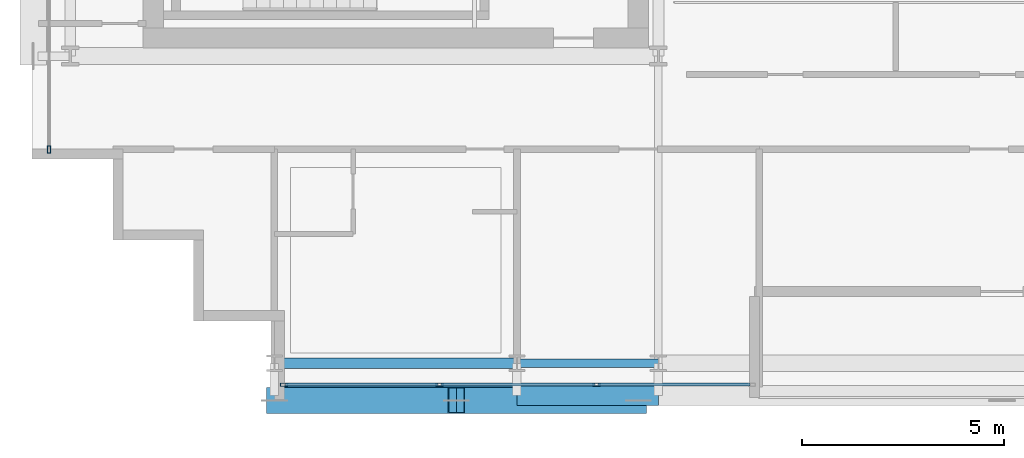
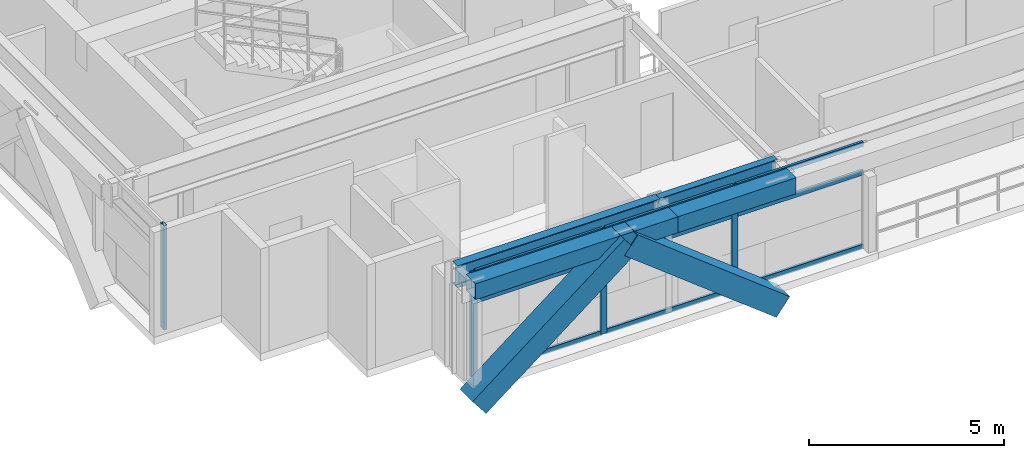
# One storey, part 2 of 32: 15 members, 4 beams, 2 elements without a shape of their own.
"""IFC4 building model written with IfcOpenShell, lengths in metres."""

import ifcopenshell
import ifcopenshell.guid

model = None  # the IFC model being written
_history = None  # IfcOwnerHistory: only IFC2X3 demands one
_inside = {}  # id of a spatial element -> (the spatial element, [elements in it])
_under = {}  # id of a project, library or spatial element -> (it, [spatial elements below it])
_declared = {}  # id of a project -> (the project, [libraries it declares])
_typed = {}  # id of a type object -> (the type object, [elements of that type])
_made_of = {}  # id of a material, layer set ... -> (it, [elements and type objects made of it])


def new_model(schema):
    """Start an empty IFC model of exactly this schema.

    Asked for "IFC4X3", IfcOpenShell would pick the latest addendum, in which some entities
    have other attributes; the version numbers below select the first issue.
    IFC2X3 requires an IfcOwnerHistory on every rooted entity: one is made here for all.
    """
    global model, _history
    if schema == "IFC4X3":
        model = ifcopenshell.file(schema_version=(4, 3, 0, 0))
    else:
        model = ifcopenshell.file(schema=schema)
    _inside.clear()
    _under.clear()
    _declared.clear()
    _typed.clear()
    _made_of.clear()
    _history = None
    if model.schema == "IFC2X3":
        org = make("IfcOrganization", Name="unknown")
        user = make(
            "IfcPersonAndOrganization",
            ThePerson=make("IfcPerson", FamilyName="unknown"),
            TheOrganization=org,
        )
        app = make(
            "IfcApplication",
            ApplicationDeveloper=org,
            Version="unknown",
            ApplicationFullName="unknown",
            ApplicationIdentifier="unknown",
        )
        _history = make(
            "IfcOwnerHistory",
            OwningUser=user,
            OwningApplication=app,
            ChangeAction="ADDED",
            CreationDate=0,
        )
    return model


def make(cls, **values):
    """One entity of the class cls with the attributes given. An attribute that is None is left unset."""
    return model.create_entity(
        cls, **{name: value for name, value in values.items() if value is not None}
    )


def rooted(cls, **values):
    """An entity with a GlobalId (a new one), such as an element, a storey or a relation."""
    return make(cls, GlobalId=ifcopenshell.guid.new(), OwnerHistory=_history, **values)


def si_unit(unit_type, name, prefix=None):
    """IfcSIUnit, for example si_unit("LENGTHUNIT", "METRE", prefix="MILLI")."""
    return make("IfcSIUnit", UnitType=unit_type, Prefix=prefix, Name=name)


def assignment(units):
    """IfcUnitAssignment: the units of a project."""
    return None if units is None else make("IfcUnitAssignment", Units=units)


def point(xyz):
    """IfcCartesianPoint."""
    return None if xyz is None else make("IfcCartesianPoint", Coordinates=xyz)


def direction(xyz):
    """IfcDirection."""
    return None if xyz is None else make("IfcDirection", DirectionRatios=xyz)


def frame(location, z_axis=None, x_axis=None):
    """IfcAxis2Placement3D, a coordinate frame: its origin and axes. An axis left out is left unset."""
    return make(
        "IfcAxis2Placement3D",
        Location=point(location),
        Axis=direction(z_axis),
        RefDirection=direction(x_axis),
    )


def frame_2d(location, x_axis=None):
    """IfcAxis2Placement2D, a coordinate frame in the plane: its origin and x axis."""
    return make(
        "IfcAxis2Placement2D", Location=point(location), RefDirection=direction(x_axis)
    )


def origin():
    """The frame at (0, 0, 0) with its axes left unset."""
    return frame((0.0, 0.0, 0.0))


def origin_2d():
    """The frame at (0, 0) in the plane with its x axis left unset."""
    return frame_2d((0.0, 0.0))


def place(relative_to, where):
    """IfcLocalPlacement: puts the frame where relative to a parent placement (None: the world)."""
    return make(
        "IfcLocalPlacement", PlacementRelTo=relative_to, RelativePlacement=where
    )


def context(
    kind, dimensions, precision=None, world=None, true_north=None, identifier=None
):
    """IfcGeometricRepresentationContext, for example the 3D "Model" context."""
    return make(
        "IfcGeometricRepresentationContext",
        ContextIdentifier=identifier,
        ContextType=kind,
        CoordinateSpaceDimension=dimensions,
        Precision=precision,
        WorldCoordinateSystem=world,
        TrueNorth=true_north,
    )


def subcontext(parent, identifier, kind, view, scale=None):
    """IfcGeometricRepresentationSubContext, for example "Body" below "Model"."""
    return make(
        "IfcGeometricRepresentationSubContext",
        ContextIdentifier=identifier,
        ContextType=kind,
        ParentContext=parent,
        TargetScale=scale,
        TargetView=view,
    )


def project(units=None, contexts=None):
    """IfcProject with its units and contexts."""
    return rooted(
        "IfcProject",
        Name="project",
        RepresentationContexts=contexts,
        UnitsInContext=assignment(units),
    )


def spatial(cls, under=None, at=None, **own):
    """A site, building, storey or space (cls), placed at a placement, below another one or the project."""
    s = rooted(cls, ObjectPlacement=at, **own)
    if under is not None:
        _under.setdefault(under.id(), (under, []))[1].append(s)
    return s


def profile(cls, at=None, kind="AREA", **sizes):
    """A parametric profile (cls). Its sizes go by their IFC names, for example OverallWidth=200.0."""
    return make(cls, ProfileType=kind, Position=at, **sizes)


def hollow_rectangle(**sizes):
    """IfcRectangleHollowProfileDef."""
    return profile("IfcRectangleHollowProfileDef", **sizes)


def i_section(**sizes):
    """IfcIShapeProfileDef."""
    return profile("IfcIShapeProfileDef", **sizes)


def extrude(swept, where, along, depth):
    """IfcExtrudedAreaSolid: the profile swept, set in the frame where, extruded along a direction by depth."""
    return make(
        "IfcExtrudedAreaSolid",
        SweptArea=swept,
        Position=where,
        ExtrudedDirection=direction(along),
        Depth=depth,
    )


def shape(context_of_items, identifier, shape_type, items):
    """IfcShapeRepresentation: the items that make up one representation, for example the "Body"."""
    return make(
        "IfcShapeRepresentation",
        ContextOfItems=context_of_items,
        RepresentationIdentifier=identifier,
        RepresentationType=shape_type,
        Items=items,
    )


def source(mapping_origin, context_of_items, identifier, shape_type, items):
    """IfcRepresentationMap: a shape defined once, which mapped items show again and again."""
    return make(
        "IfcRepresentationMap",
        MappingOrigin=mapping_origin,
        MappedRepresentation=shape(context_of_items, identifier, shape_type, items),
    )


def transform(
    local_origin,
    x_axis=None,
    y_axis=None,
    z_axis=None,
    scale=None,
    scale2=None,
    scale3=None,
    uniform=True,
):
    """IfcCartesianTransformationOperator3D, or its non-uniform kind. x_axis, y_axis, z_axis: its Axis1, 2, 3."""
    if uniform:
        return make(
            "IfcCartesianTransformationOperator3D",
            Axis1=direction(x_axis),
            Axis2=direction(y_axis),
            LocalOrigin=point(local_origin),
            Scale=scale,
            Axis3=direction(z_axis),
        )
    return make(
        "IfcCartesianTransformationOperator3DnonUniform",
        Axis1=direction(x_axis),
        Axis2=direction(y_axis),
        LocalOrigin=point(local_origin),
        Scale=scale,
        Axis3=direction(z_axis),
        Scale2=scale2,
        Scale3=scale3,
    )


def mapped(mapping_source, mapping_target):
    """IfcMappedItem: shows the shape of a source again, moved by a transform."""
    return make(
        "IfcMappedItem", MappingSource=mapping_source, MappingTarget=mapping_target
    )


def material(Name=None, Category=None):
    """IfcMaterial."""
    return make("IfcMaterial", Name=Name, Category=Category)


def layer(
    of_material, thickness, ventilated=None, Name=None, Category=None, Priority=None
):
    """IfcMaterialLayer: one layer of a wall or slab, of a material (None: an air gap)."""
    return make(
        "IfcMaterialLayer",
        Material=of_material,
        LayerThickness=thickness,
        IsVentilated=ventilated,
        Name=Name,
        Category=Category,
        Priority=Priority,
    )


def layer_set(layers, Name=None):
    """IfcMaterialLayerSet."""
    return make("IfcMaterialLayerSet", MaterialLayers=layers, LayerSetName=Name)


def material_profile(
    of_material, cross_section, Name=None, Category=None, Priority=None
):
    """IfcMaterialProfile: a cross section and its material."""
    return make(
        "IfcMaterialProfile",
        Name=Name,
        Material=of_material,
        Profile=cross_section,
        Priority=Priority,
        Category=Category,
    )


def profile_set(profiles, Name=None, composite=None):
    """IfcMaterialProfileSet."""
    return make(
        "IfcMaterialProfileSet",
        Name=Name,
        MaterialProfiles=profiles,
        CompositeProfile=composite,
    )


def made_of(thing, what):
    """Note that an element or type object is made of a material, layer set ...; save() writes the relation."""
    if what is not None:
        _made_of.setdefault(what.id(), (what, []))[1].append(thing)
    return thing


def type_object(cls, material=None, **own):
    """A type object (cls), such as IfcWallType, which elements share."""
    return made_of(rooted(cls, **own), material)


def element(
    cls,
    number,
    at=None,
    inside=None,
    cuts=None,
    type_object=None,
    material=None,
    context=None,
    identifier="Body",
    shape_type=None,
    held_by="IfcProductDefinitionShape",
    body=None,
    shapes=None,
    **own,
):
    """One element of the class cls, such as IfcWall. Its Tag is "e" and its number.

    at: its placement. inside: the storey or other place that contains it. cuts: it is an
    opening in that element (IfcRelVoidsElement). A single representation is given by context,
    identifier, shape_type and body (its items); several are given by shapes. held_by: the class
    of the entity that holds the representations. save() writes the other relations.
    """
    e = rooted(cls, Tag="e%d" % number, ObjectPlacement=at, **own)
    if body is not None:
        shapes = [shape(context, identifier, shape_type, body)]
    if shapes is not None:
        e.Representation = make(held_by, Representations=shapes)
    if inside is not None:
        _inside.setdefault(inside.id(), (inside, []))[1].append(e)
    if cuts is not None:
        rooted(
            "IfcRelVoidsElement", RelatingBuildingElement=cuts, RelatedOpeningElement=e
        )
    if type_object is not None:
        _typed.setdefault(type_object.id(), (type_object, []))[1].append(e)
    return made_of(e, material)


def aggregate(whole, parts):
    """IfcRelAggregates: a whole, such as a stair, and the parts it consists of."""
    return rooted("IfcRelAggregates", RelatingObject=whole, RelatedObjects=parts)


def save(model, path):
    """Write the relations noted so far, then the file.

    IfcRelAggregates (storeys below a building ...), IfcRelContainedInSpatialStructure (elements
    in a storey), IfcRelDefinesByType, IfcRelAssociatesMaterial and IfcRelDeclares: one each for
    every whole, place, type object, material and project.
    """
    for whole, parts in _under.values():
        aggregate(whole, parts)
    for where, things in _inside.values():
        rooted(
            "IfcRelContainedInSpatialStructure",
            RelatedElements=things,
            RelatingStructure=where,
        )
    for kind, things in _typed.values():
        rooted("IfcRelDefinesByType", RelatedObjects=things, RelatingType=kind)
    for what, things in _made_of.values():
        rooted("IfcRelAssociatesMaterial", RelatedObjects=things, RelatingMaterial=what)
    for by, libraries in _declared.values():
        rooted("IfcRelDeclares", RelatingContext=by, RelatedDefinitions=libraries)
    model.write(path)


model = new_model("IFC4")

# Units and contexts
model_context = context("Model", 3, precision=1e-05, world=origin(), true_north=direction((0.0, 1.0)))
body_context = subcontext(model_context, "Body", "Model", "MODEL_VIEW")
ifc_project = project(units=[si_unit("LENGTHUNIT", "METRE"), si_unit("AREAUNIT", "SQUARE_METRE"), si_unit("VOLUMEUNIT", "CUBIC_METRE"), si_unit("PLANEANGLEUNIT", "RADIAN"), si_unit("MASSUNIT", "GRAM", prefix="KILO")], contexts=[model_context])

# Site, building, storey
site_placement = place(None, origin())
site = spatial("IfcSite", under=ifc_project, at=site_placement, CompositionType="ELEMENT")
building_placement = place(site_placement, origin())
building = spatial("IfcBuilding", under=site, at=building_placement, Name="Ocotamira Hotel", CompositionType="ELEMENT")
storey_placement = place(building_placement, frame((0.0, 0.0, 217.199951171875)))
storey = spatial("IfcBuildingStorey", under=building, at=storey_placement, Name="L55", CompositionType="ELEMENT", Elevation=217.199951171875)

# Beams
ifc_material_1 = material(Name="Steel ASTM A992 Grade 50", Category="steel")
ifc_material_profile_1 = material_profile(ifc_material_1, i_section(OverallWidth=0.256103515625, OverallDepth=0.693115234375, WebThickness=0.014404296875, FlangeThickness=0.023681640625, FilletRadius=0.01611328125, at=origin_2d()), Name="W27X114")
ifc_profile_set_1 = profile_set([ifc_material_profile_1], Name="Steel ASTM A992 Grade 50")
beam_type_1 = type_object("IfcBeamType", Name="BM-PRIM-W27X114", PredefinedType="BEAM", material=ifc_profile_set_1)
shared_shape_1 = source(origin(), body_context, "Body", "SweptSolid", [
    extrude(i_section(OverallWidth=0.256103515625, OverallDepth=0.693115234375, WebThickness=0.014404296875, FlangeThickness=0.023681640625, FilletRadius=0.01611328125, at=origin_2d()), origin(), (0.0, 0.0, 1.0), 6.0),
])
beam_1_placement = place(storey_placement, frame((14.0, 6.949951171875, 2.93359375), z_axis=(1.0, 0.0, 0.0), x_axis=(0.0, 1.0, 0.0)))
element("IfcBeam", 1, at=beam_1_placement, inside=storey, type_object=beam_type_1, Name="L55 Girder Y6.95 X14-20", PredefinedType="BEAM", context=body_context, shape_type="MappedRepresentation", body=[
    mapped(shared_shape_1, transform((0.0, 0.0, 0.0), scale=1.0)),
])
ifc_material_profile_2 = material_profile(ifc_material_1, i_section(OverallWidth=0.2099609375, OverallDepth=0.537109375, WebThickness=0.010986328125, FlangeThickness=0.017333984375, FilletRadius=0.012939453125, at=origin_2d()), Name="W21X68")
ifc_profile_set_2 = profile_set([ifc_material_profile_2], Name="Steel ASTM A992 Grade 50")
beam_type_2 = type_object("IfcBeamType", Name="BM-SEC-W21X68", PredefinedType="JOIST", material=ifc_profile_set_2)
shared_shape_2 = source(origin(), body_context, "Body", "SweptSolid", [
    extrude(i_section(OverallWidth=0.2099609375, OverallDepth=0.537109375, WebThickness=0.010986328125, FlangeThickness=0.017333984375, FilletRadius=0.012939453125, at=origin_2d()), origin(), (0.0, 0.0, 1.0), 3.5),
])
beam_2_placement = place(storey_placement, frame((20.0, 6.949951171875, 3.011474609375), z_axis=(1.0, 0.0, 0.0), x_axis=(0.0, 1.0, 0.0)))
element("IfcBeam", 2, at=beam_2_placement, inside=storey, type_object=beam_type_2, Name="L55 Girder Y6.95 X20-23.5", PredefinedType="JOIST", context=body_context, shape_type="MappedRepresentation", body=[
    mapped(shared_shape_2, transform((0.0, 0.0, 0.0), scale=1.0)),
])
ifc_material_2 = material(Name="Steel ASTM A500 Grade C", Category="steel")
ifc_material_profile_3 = material_profile(ifc_material_2, hollow_rectangle(XDim=0.5, YDim=0.5, WallThickness=0.02001953125, at=origin_2d()), Name="HSS500X500X20")
ifc_profile_set_3 = profile_set([ifc_material_profile_3], Name="Steel ASTM A500 Grade C")
beam_type_3 = type_object("IfcBeamType", Name="BM-SPAN-HSS500", PredefinedType="USERDEFINED", material=ifc_profile_set_3)
shared_shape_3 = source(origin(), body_context, "Body", "SweptSolid", [
    extrude(hollow_rectangle(XDim=0.5, YDim=0.5, WallThickness=0.02001953125, at=origin_2d()), origin(), (0.0, 0.0, 1.0), 6.0),
])
beam_3_placement = place(storey_placement, frame((14.0, 6.14990234375, 3.030029296875), z_axis=(1.0, 0.0, 0.0), x_axis=(0.0, 1.0, 0.0)))
element("IfcBeam", 3, at=beam_3_placement, inside=storey, type_object=beam_type_3, Name="L55 Edge Spandrel S X14-20", ObjectType="SPANDREL", PredefinedType="USERDEFINED", context=body_context, shape_type="MappedRepresentation", body=[
    mapped(shared_shape_3, transform((0.0, 0.0, 0.0), scale=1.0)),
])
shared_shape_4 = source(origin(), body_context, "Body", "SweptSolid", [
    extrude(hollow_rectangle(XDim=0.5, YDim=0.5, WallThickness=0.02001953125, at=origin_2d()), origin(), (0.0, 0.0, 1.0), 3.5),
])
beam_4_placement = place(storey_placement, frame((20.0, 6.14990234375, 3.030029296875), z_axis=(1.0, 0.0, 0.0), x_axis=(0.0, 1.0, 0.0)))
element("IfcBeam", 4, at=beam_4_placement, inside=storey, type_object=beam_type_3, Name="L55 Edge Spandrel S X20-23.5", ObjectType="SPANDREL", PredefinedType="USERDEFINED", context=body_context, shape_type="MappedRepresentation", body=[
    mapped(shared_shape_4, transform((0.0, 0.0, 0.0), scale=1.0)),
])

# Members
ifc_material_3 = material(Name="Pale-metal coated steel ASTM A913 Grade 65", Category="steel")
ifc_material_profile_4 = material_profile(ifc_material_3, hollow_rectangle(XDim=0.64990234375, YDim=0.64990234375, WallThickness=0.02197265625, at=origin_2d()), Name="BOX650X650X22")
ifc_profile_set_4 = profile_set([ifc_material_profile_4], Name="Pale-metal coated steel ASTM A913 Grade 65")
member_type_1 = type_object("IfcMemberType", Name="MEM-EXO-BOX650", PredefinedType="BRACE", material=ifc_profile_set_4)
shared_shape_5 = source(origin(), body_context, "Body", "SweptSolid", [
    extrude(hollow_rectangle(XDim=0.64990234375, YDim=0.64990234375, WallThickness=0.02197265625, at=origin_2d()), origin(), (0.0, 0.0, 1.0), 5.70703125),
])
for number, where, z_axis, x_axis, name in (
    (5, (14.0, 6.030029296875, -0.47998046875), (0.788501476184, 0.0, 0.615032862581), (0.0, 1.0, 0.0), "L55 Exoskeleton Diagrid S0.1"),
    (6, (23.0, 6.030029296875, -0.47998046875), (-0.788501476184, 0.0, 0.615032862581), (0.0, -1.0, 0.0), "L55 Exoskeleton Diagrid S0.2"),
):
    element("IfcMember", number, at=place(storey_placement, frame(where, z_axis=z_axis, x_axis=x_axis)), inside=storey, type_object=member_type_1, Name=name, PredefinedType="BRACE", context=body_context, shape_type="MappedRepresentation", body=[
        mapped(shared_shape_5, transform((0.0, 0.0, 0.0), scale=1.0)),
    ])

# Curtain wall, members
ifc_material_4 = material(Name="Anodised pale-metal aluminium and solar glass", Category="aluminium")
ifc_layer = layer(ifc_material_4, 0.199951171875)
ifc_layer_set = layer_set([ifc_layer], Name="Anodised pale-metal aluminium and solar glass")
curtain_wall_type = type_object("IfcCurtainWallType", Name="CW-SYS4-Z3", PredefinedType="NOTDEFINED", material=ifc_layer_set)
curtain_wall_1_placement = place(storey_placement, origin())
curtain_wall_1 = element("IfcCurtainWall", 7, at=curtain_wall_1_placement, inside=storey, type_object=curtain_wall_type, Name="L55 Curtain Wall CW-4 CW-L55-S1", PredefinedType="NOTDEFINED")
ifc_material_5 = material(Name="Anodised pale-metal aluminium 6063-T6", Category="aluminium")
ifc_material_profile_5 = material_profile(ifc_material_5, hollow_rectangle(XDim=0.074951171875, YDim=0.14990234375, WallThickness=0.006103515625, at=origin_2d()), Name="HSS150X75X6")
ifc_profile_set_5 = profile_set([ifc_material_profile_5], Name="Anodised pale-metal aluminium 6063-T6")
member_type_2 = type_object("IfcMemberType", Name="CWT-150X75", PredefinedType="USERDEFINED", material=ifc_profile_set_5)
shared_shape_6 = source(origin(), body_context, "Body", "SweptSolid", [
    extrude(hollow_rectangle(XDim=0.074951171875, YDim=0.14990234375, WallThickness=0.006103515625, at=origin_2d()), origin(), (0.0, 0.0, 1.0), 3.76318359375),
])
member_1_placement = place(storey_placement, frame((14.280029296875, 6.419921875, 0.03759765625), z_axis=(1.0, 0.0, 0.0), x_axis=(0.0, 1.0, 0.0)))
member_1 = element("IfcMember", 8, at=member_1_placement, type_object=member_type_2, Name="CW-4 transom 1.1", ObjectType="TRANSOM", PredefinedType="USERDEFINED", context=body_context, shape_type="MappedRepresentation", body=[
    mapped(shared_shape_6, transform((0.0, 0.0, 0.0), scale=1.0)),
])
member_2_placement = place(storey_placement, frame((14.280029296875, 6.419921875, 2.35009765625), z_axis=(1.0, 0.0, 0.0), x_axis=(0.0, 1.0, 0.0)))
member_2 = element("IfcMember", 9, at=member_2_placement, type_object=member_type_2, Name="CW-4 transom 1.2", ObjectType="TRANSOM", PredefinedType="USERDEFINED", context=body_context, shape_type="MappedRepresentation", body=[
    mapped(shared_shape_6, transform((0.0, 0.0, 0.0), scale=1.0)),
])
member_3_placement = place(storey_placement, frame((14.280029296875, 6.419921875, 3.242431640625), z_axis=(1.0, 0.0, 0.0), x_axis=(0.0, 1.0, 0.0)))
member_3 = element("IfcMember", 10, at=member_3_placement, type_object=member_type_2, Name="CW-4 transom 1.3", ObjectType="TRANSOM", PredefinedType="USERDEFINED", context=body_context, shape_type="MappedRepresentation", body=[
    mapped(shared_shape_6, transform((0.0, 0.0, 0.0), scale=1.0)),
])
shared_shape_7 = source(origin(), body_context, "Body", "SweptSolid", [
    extrude(hollow_rectangle(XDim=0.074951171875, YDim=0.14990234375, WallThickness=0.006103515625, at=origin_2d()), origin(), (0.0, 0.0, 1.0), 3.803466796875),
])
member_4_placement = place(storey_placement, frame((18.123291015625, 6.419921875, 0.03759765625), z_axis=(1.0, 0.0, 0.0), x_axis=(0.0, 1.0, 0.0)))
member_4 = element("IfcMember", 11, at=member_4_placement, type_object=member_type_2, Name="CW-4 transom 2.1", ObjectType="TRANSOM", PredefinedType="USERDEFINED", context=body_context, shape_type="MappedRepresentation", body=[
    mapped(shared_shape_7, transform((0.0, 0.0, 0.0), scale=1.0)),
])
member_5_placement = place(storey_placement, frame((18.123291015625, 6.419921875, 2.35009765625), z_axis=(1.0, 0.0, 0.0), x_axis=(0.0, 1.0, 0.0)))
member_5 = element("IfcMember", 12, at=member_5_placement, type_object=member_type_2, Name="CW-4 transom 2.2", ObjectType="TRANSOM", PredefinedType="USERDEFINED", context=body_context, shape_type="MappedRepresentation", body=[
    mapped(shared_shape_7, transform((0.0, 0.0, 0.0), scale=1.0)),
])
member_6_placement = place(storey_placement, frame((18.123291015625, 6.419921875, 3.242431640625), z_axis=(1.0, 0.0, 0.0), x_axis=(0.0, 1.0, 0.0)))
member_6 = element("IfcMember", 13, at=member_6_placement, type_object=member_type_2, Name="CW-4 transom 2.3", ObjectType="TRANSOM", PredefinedType="USERDEFINED", context=body_context, shape_type="MappedRepresentation", body=[
    mapped(shared_shape_7, transform((0.0, 0.0, 0.0), scale=1.0)),
])
shared_shape_8 = source(origin(), body_context, "Body", "SweptSolid", [
    extrude(hollow_rectangle(XDim=0.074951171875, YDim=0.14990234375, WallThickness=0.006103515625, at=origin_2d()), origin(), (0.0, 0.0, 1.0), 3.763427734375),
])
member_7_placement = place(storey_placement, frame((22.006591796875, 6.419921875, 0.03759765625), z_axis=(1.0, 0.0, 0.0), x_axis=(0.0, 1.0, 0.0)))
member_7 = element("IfcMember", 14, at=member_7_placement, type_object=member_type_2, Name="CW-4 transom 3.1", ObjectType="TRANSOM", PredefinedType="USERDEFINED", context=body_context, shape_type="MappedRepresentation", body=[
    mapped(shared_shape_8, transform((0.0, 0.0, 0.0), scale=1.0)),
])
member_8_placement = place(storey_placement, frame((22.006591796875, 6.419921875, 2.35009765625), z_axis=(1.0, 0.0, 0.0), x_axis=(0.0, 1.0, 0.0)))
member_8 = element("IfcMember", 15, at=member_8_placement, type_object=member_type_2, Name="CW-4 transom 3.2", ObjectType="TRANSOM", PredefinedType="USERDEFINED", context=body_context, shape_type="MappedRepresentation", body=[
    mapped(shared_shape_8, transform((0.0, 0.0, 0.0), scale=1.0)),
])
member_9_placement = place(storey_placement, frame((22.006591796875, 6.419921875, 3.242431640625), z_axis=(1.0, 0.0, 0.0), x_axis=(0.0, 1.0, 0.0)))
member_9 = element("IfcMember", 16, at=member_9_placement, type_object=member_type_2, Name="CW-4 transom 3.3", ObjectType="TRANSOM", PredefinedType="USERDEFINED", context=body_context, shape_type="MappedRepresentation", body=[
    mapped(shared_shape_8, transform((0.0, 0.0, 0.0), scale=1.0)),
])
ifc_material_profile_6 = material_profile(ifc_material_5, hollow_rectangle(XDim=0.080078125, YDim=0.179931640625, WallThickness=0.006103515625, at=origin_2d()), Name="HSS180X80X6")
ifc_profile_set_6 = profile_set([ifc_material_profile_6], Name="Anodised pale-metal aluminium 6063-T6")
member_type_3 = type_object("IfcMemberType", Name="CWM-180X75", PredefinedType="MULLION", material=ifc_profile_set_6)
shared_shape_9 = source(origin(), body_context, "Body", "SweptSolid", [
    extrude(hollow_rectangle(XDim=0.080078125, YDim=0.179931640625, WallThickness=0.006103515625, at=origin_2d()), origin(), (0.0, 0.0, 1.0), 3.280029296875),
])
member_10_placement = place(storey_placement, frame((14.239990234375, 6.419921875, 0.0), z_axis=(0.0, 0.0, 1.0), x_axis=(0.0, 1.0, 0.0)))
member_10 = element("IfcMember", 17, at=member_10_placement, type_object=member_type_3, Name="CW-4 mullion 1", PredefinedType="MULLION", context=body_context, shape_type="MappedRepresentation", body=[
    mapped(shared_shape_9, transform((0.0, 0.0, 0.0), scale=1.0)),
])
member_11_placement = place(storey_placement, frame((18.083251953125, 6.419921875, 0.0), z_axis=(0.0, 0.0, 1.0), x_axis=(0.0, 1.0, 0.0)))
member_11 = element("IfcMember", 18, at=member_11_placement, type_object=member_type_3, Name="CW-4 mullion 2", PredefinedType="MULLION", context=body_context, shape_type="MappedRepresentation", body=[
    mapped(shared_shape_9, transform((0.0, 0.0, 0.0), scale=1.0)),
])
member_12_placement = place(storey_placement, frame((21.966552734375, 6.419921875, 0.0), z_axis=(0.0, 0.0, 1.0), x_axis=(0.0, 1.0, 0.0)))
member_12 = element("IfcMember", 19, at=member_12_placement, type_object=member_type_3, Name="CW-4 mullion 3", PredefinedType="MULLION", context=body_context, shape_type="MappedRepresentation", body=[
    mapped(shared_shape_9, transform((0.0, 0.0, 0.0), scale=1.0)),
])
aggregate(curtain_wall_1, [member_10, member_11, member_12, member_1, member_2, member_3, member_4, member_5, member_6, member_7, member_8, member_9])

# Curtain wall, member
curtain_wall_2_placement = place(storey_placement, origin())
curtain_wall_2 = element("IfcCurtainWall", 20, at=curtain_wall_2_placement, inside=storey, type_object=curtain_wall_type, Name="L55 Curtain Wall CW-4 CW-L55-W", PredefinedType="NOTDEFINED")
member_13_placement = place(storey_placement, frame((8.419921875, 12.239990234375, 0.0), z_axis=(0.0, 0.0, 1.0), x_axis=(-1.0, 0.0, 0.0)))
member_13 = element("IfcMember", 21, at=member_13_placement, type_object=member_type_3, Name="CW-4 mullion 1", PredefinedType="MULLION", context=body_context, shape_type="MappedRepresentation", body=[
    mapped(shared_shape_9, transform((0.0, 0.0, 0.0), scale=1.0)),
])
aggregate(curtain_wall_2, [member_13])

save(model, "model.ifc")
